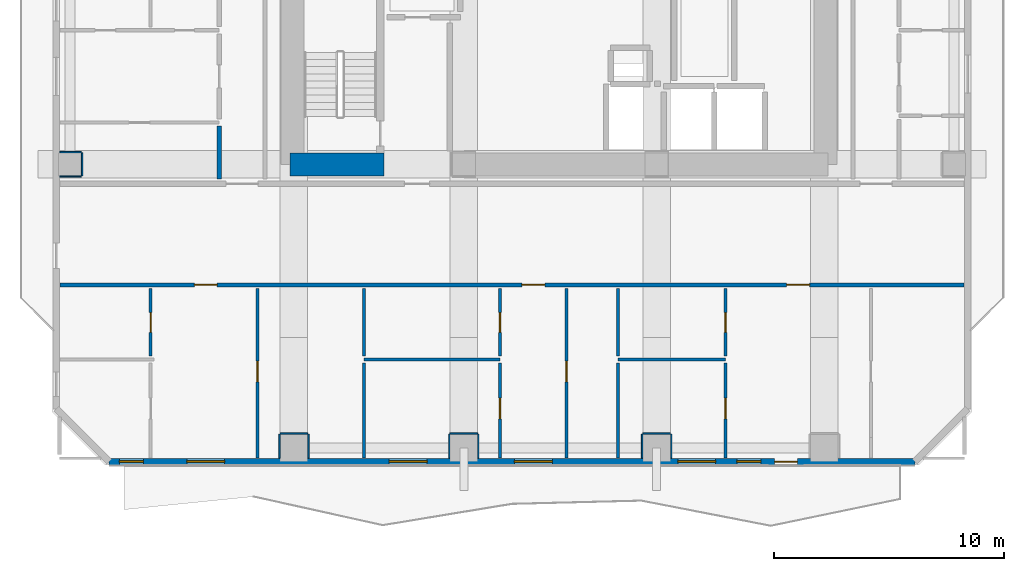
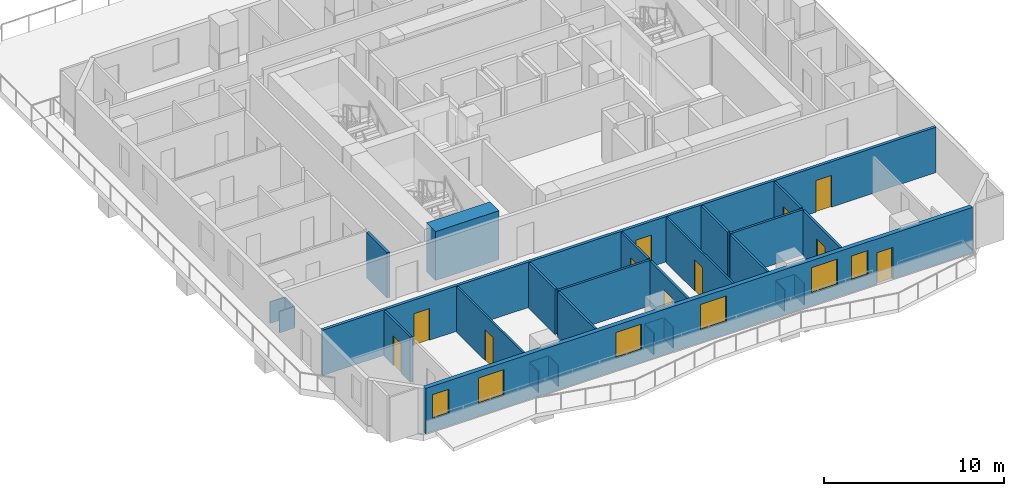
# One storey, part 2 of 11: 29 walls, 11 doors, 6 windows, 17 openings.
"""IFC4 building model written with IfcOpenShell, lengths in metres."""

from ifc_helpers import new_model, si_unit, direction, frame, frame_2d, origin, place, context, subcontext, project, spatial, rectangle, extrude, material, layer, layer_set, type_object, element, fill, save


model = new_model("IFC4")

# Units and contexts
model_context = context("Model", 3, precision=1e-05, world=origin(), true_north=direction((0.0, 1.0)))
body_context = subcontext(model_context, "Body", "Model", "MODEL_VIEW")
ifc_project = project(units=[si_unit("LENGTHUNIT", "METRE"), si_unit("AREAUNIT", "SQUARE_METRE"), si_unit("VOLUMEUNIT", "CUBIC_METRE"), si_unit("PLANEANGLEUNIT", "RADIAN"), si_unit("MASSUNIT", "GRAM", prefix="KILO")], contexts=[model_context])

# Site, building, storey
site_placement = place(None, origin())
site = spatial("IfcSite", under=ifc_project, at=site_placement, CompositionType="ELEMENT")
building_placement = place(site_placement, origin())
building = spatial("IfcBuilding", under=site, at=building_placement, Name="Solanera Arch Residences", CompositionType="ELEMENT")
storey_placement = place(building_placement, frame((0.0, 0.0, 106.080078125)))
storey = spatial("IfcBuildingStorey", under=building, at=storey_placement, Name="L30", CompositionType="ELEMENT", Elevation=106.080078125)

# Walls
ifc_material_1 = material(Name="Fire-Rated Gypsum Stud Partition", Category="gypsum")
ifc_layer_1 = layer(ifc_material_1, 0.06005859375)
ifc_layer_set_1 = layer_set([ifc_layer_1], Name="Fire-Rated Gypsum Stud Partition")
wall_type_1 = type_object("IfcWallType", Name="Column Acoustic Furring Wall 60", PredefinedType="PARTITIONING", material=ifc_layer_set_1)
wall_1_placement = place(storey_placement, frame((12.800048828125, 10.281982421875, 0.0), z_axis=(0.0, 0.0, 1.0), x_axis=(1.0, 0.0, 0.0)))
element("IfcWall", 1, at=wall_1_placement, inside=storey, type_object=wall_type_1, Name="L30 Column Furring 9N", PredefinedType="PARTITIONING", context=body_context, shape_type="SweptSolid", body=[
    extrude(rectangle(XDim=1.199951171875, YDim=0.06005859375, at=frame_2d((0.60009765625, 0.0))), origin(), (0.0, 0.0, 1.0), 1.449951171875),
])
for number, where, z_axis, x_axis, name in (
    (2, (12.76806640625, 9.2099609375, 0.0), (0.0, 0.0, 1.0), (0.0, 1.0, 0.0), "L30 Column Furring 9W"),
    (3, (14.031982421875, 9.2099609375, 0.0), (0.0, 0.0, 1.0), (0.0, 1.0, 0.0), "L30 Column Furring 9E"),
):
    element("IfcWall", number, at=place(storey_placement, frame(where, z_axis=z_axis, x_axis=x_axis)), inside=storey, type_object=wall_type_1, Name=name, PredefinedType="PARTITIONING", context=body_context, shape_type="SweptSolid", body=[
        extrude(rectangle(XDim=1.0400390625, YDim=0.06005859375, at=frame_2d((0.52001953125, 0.0))), origin(), (0.0, 0.0, 1.0), 1.449951171875),
    ])
wall_2_placement = place(storey_placement, frame((20.199951171875, 10.281982421875, 0.0), z_axis=(0.0, 0.0, 1.0), x_axis=(1.0, 0.0, 0.0)))
element("IfcWall", 4, at=wall_2_placement, inside=storey, type_object=wall_type_1, Name="L30 Column Furring 11N", PredefinedType="PARTITIONING", context=body_context, shape_type="SweptSolid", body=[
    extrude(rectangle(XDim=1.199951171875, YDim=0.06005859375, at=frame_2d((0.60009765625, 0.0))), origin(), (0.0, 0.0, 1.0), 1.449951171875),
])
for number, where, z_axis, x_axis, name in (
    (5, (20.16796875, 9.2099609375, 0.0), (0.0, 0.0, 1.0), (0.0, 1.0, 0.0), "L30 Column Furring 11W"),
    (6, (21.431884765625, 9.2099609375, 0.0), (0.0, 0.0, 1.0), (0.0, 1.0, 0.0), "L30 Column Furring 11E"),
):
    element("IfcWall", number, at=place(storey_placement, frame(where, z_axis=z_axis, x_axis=x_axis)), inside=storey, type_object=wall_type_1, Name=name, PredefinedType="PARTITIONING", context=body_context, shape_type="SweptSolid", body=[
        extrude(rectangle(XDim=1.0400390625, YDim=0.06005859375, at=frame_2d((0.52001953125, 0.0))), origin(), (0.0, 0.0, 1.0), 1.449951171875),
    ])
wall_3_placement = place(storey_placement, frame((28.60009765625, 10.281982421875, 0.0), z_axis=(0.0, 0.0, 1.0), x_axis=(1.0, 0.0, 0.0)))
element("IfcWall", 7, at=wall_3_placement, inside=storey, type_object=wall_type_1, Name="L30 Column Furring 13N", PredefinedType="PARTITIONING", context=body_context, shape_type="SweptSolid", body=[
    extrude(rectangle(XDim=1.199951171875, YDim=0.06005859375, at=frame_2d((0.60009765625, 0.0))), origin(), (0.0, 0.0, 1.0), 1.449951171875),
])
for number, where, z_axis, x_axis, name in (
    (8, (28.568115234375, 9.2099609375, 0.0), (0.0, 0.0, 1.0), (0.0, 1.0, 0.0), "L30 Column Furring 13W"),
    (9, (29.83203125, 9.2099609375, 0.0), (0.0, 0.0, 1.0), (0.0, 1.0, 0.0), "L30 Column Furring 13E"),
):
    element("IfcWall", number, at=place(storey_placement, frame(where, z_axis=z_axis, x_axis=x_axis)), inside=storey, type_object=wall_type_1, Name=name, PredefinedType="PARTITIONING", context=body_context, shape_type="SweptSolid", body=[
        extrude(rectangle(XDim=1.0400390625, YDim=0.06005859375, at=frame_2d((0.52001953125, 0.0))), origin(), (0.0, 0.0, 1.0), 1.449951171875),
    ])
for number, where, z_axis, x_axis, name in (
    (10, (3.2099609375, 21.468017578125, 0.0), (0.0, 0.0, 1.0), (1.0, 0.0, 0.0), "L30 Column Furring 17S"),
    (11, (3.2099609375, 22.531982421875, 0.0), (0.0, 0.0, 1.0), (1.0, 0.0, 0.0), "L30 Column Furring 17N"),
):
    element("IfcWall", number, at=place(storey_placement, frame(where, z_axis=z_axis, x_axis=x_axis)), inside=storey, type_object=wall_type_1, Name=name, PredefinedType="PARTITIONING", context=body_context, shape_type="SweptSolid", body=[
        extrude(rectangle(XDim=0.93994140625, YDim=0.06005859375, at=frame_2d((0.469970703125, 0.0))), origin(), (0.0, 0.0, 1.0), 1.449951171875),
    ])
wall_4_placement = place(storey_placement, frame((4.181884765625, 21.5, 0.0), z_axis=(0.0, 0.0, 1.0), x_axis=(0.0, 1.0, 0.0)))
element("IfcWall", 12, at=wall_4_placement, inside=storey, type_object=wall_type_1, Name="L30 Column Furring 17E", PredefinedType="PARTITIONING", context=body_context, shape_type="SweptSolid", body=[
    extrude(rectangle(XDim=1.0, YDim=0.06005859375, at=frame_2d((0.5, 0.0))), origin(), (0.0, 0.0, 1.0), 1.449951171875),
])
ifc_material_2 = material(Name="Concrete C55/67 (f'c = 60 MPa)", Category="concrete")
ifc_layer_2 = layer(ifc_material_2, 1.0)
ifc_layer_set_2 = layer_set([ifc_layer_2], Name="Concrete C55/67 (f'c = 60 MPa)")
wall_type_2 = type_object("IfcWallType", Name="Core Shear Wall CW-1000", PredefinedType="SHEAR", material=ifc_layer_set_2)
wall_5_placement = place(storey_placement, frame((13.239990234375, 22.0, 0.0), z_axis=(0.0, 0.0, 1.0), x_axis=(1.0, 0.0, 0.0)))
element("IfcWall", 13, at=wall_5_placement, inside=storey, type_object=wall_type_2, Name="L30 South-West Core Shear Wall", PredefinedType="SHEAR", context=body_context, shape_type="SweptSolid", body=[
    extrude(rectangle(XDim=4.080078125, YDim=1.0, at=frame_2d((2.0400390625, 0.0))), origin(), (0.0, 0.0, 1.0), 3.31982421875),
])

# Wall, openings, doors
ifc_material_3 = material(Name="Autoclaved Aerated Concrete Blockwork", Category="masonry")
ifc_layer_3 = layer(ifc_material_3, 0.179931640625)
ifc_layer_set_3 = layer_set([ifc_layer_3], Name="Autoclaved Aerated Concrete Blockwork")
wall_type_3 = type_object("IfcWallType", Name="Corridor Fire Partition 180", PredefinedType="PARTITIONING", material=ifc_layer_set_3)
wall_6_placement = place(storey_placement, frame((3.20703125, 16.75, 0.0), z_axis=(0.0, 0.0, 1.0), x_axis=(1.0, 0.0, 0.0)))
wall_6 = element("IfcWall", 14, at=wall_6_placement, inside=storey, type_object=wall_type_3, Name="L30 Interior Partition H7", PredefinedType="PARTITIONING", context=body_context, shape_type="SweptSolid", body=[
    extrude(rectangle(XDim=39.385986328125, YDim=0.179931640625, at=frame_2d((19.69287109375, 0.0))), origin(), (0.0, 0.0, 1.0), 3.079833984375),
])
opening_1_placement = place(wall_6_placement, frame((5.85791015625, 0.0, 0.0)))
opening_1 = element("IfcOpeningElement", 15, at=opening_1_placement, cuts=wall_6, Name="Opening DI-01", PredefinedType="OPENING", context=body_context, shape_type="SweptSolid", body=[
    extrude(rectangle(XDim=1.0, YDim=2.14990234375, at=frame_2d((0.5, 1.074951171875))), frame((0.0, 0.10009765625, 0.0), z_axis=(0.0, -1.0, 0.0), x_axis=(1.0, 0.0, 0.0)), (0.0, 0.0, 1.0), 0.1999),
])
opening_2_placement = place(wall_6_placement, frame((20.12109375, 0.0, 0.0)))
opening_2 = element("IfcOpeningElement", 16, at=opening_2_placement, cuts=wall_6, Name="Opening DI-01", PredefinedType="OPENING", context=body_context, shape_type="SweptSolid", body=[
    extrude(rectangle(XDim=1.0, YDim=2.14990234375, at=frame_2d((0.5, 1.074951171875))), frame((0.0, 0.10009765625, 0.0), z_axis=(0.0, -1.0, 0.0), x_axis=(1.0, 0.0, 0.0)), (0.0, 0.0, 1.0), 0.1999),
])
opening_3_placement = place(wall_6_placement, frame((31.654052734375, 0.0, 0.0)))
opening_3 = element("IfcOpeningElement", 17, at=opening_3_placement, cuts=wall_6, Name="Opening DI-01", PredefinedType="OPENING", context=body_context, shape_type="SweptSolid", body=[
    extrude(rectangle(XDim=1.0, YDim=2.14990234375, at=frame_2d((0.5, 1.074951171875))), frame((0.0, 0.10009765625, 0.0), z_axis=(0.0, -1.0, 0.0), x_axis=(1.0, 0.0, 0.0)), (0.0, 0.0, 1.0), 0.1999),
])
ifc_material_4 = material(Name="Fire-Rated Architectural Hardwood", Category="wood")
door_type_1 = type_object("IfcDoorType", Name="Unit Entrance Fire Door DI-01", OperationType="NOTDEFINED", PredefinedType="DOOR", material=ifc_material_4)
door_1_placement = place(opening_1_placement, origin())
door_1 = element("IfcDoor", 18, at=door_1_placement, inside=storey, type_object=door_type_1, Name="DR-L30-IN-017", OperationType="SINGLE_SWING_RIGHT", OverallHeight=2.14990234375, OverallWidth=1.0, PredefinedType="DOOR", context=body_context, shape_type="SweptSolid", body=[
    extrude(rectangle(XDim=1.0, YDim=2.14990234375, at=frame_2d((0.5, 1.074951171875))), frame((0.0, 0.02490234375, 0.0), z_axis=(0.0, -1.0, 0.0), x_axis=(1.0, 0.0, 0.0)), (0.0, 0.0, 1.0), 0.050048828125),
])
fill(opening_1, door_1)
door_2_placement = place(opening_2_placement, origin())
door_2 = element("IfcDoor", 19, at=door_2_placement, inside=storey, type_object=door_type_1, Name="DR-L30-IN-021", OperationType="SINGLE_SWING_RIGHT", OverallHeight=2.14990234375, OverallWidth=1.0, PredefinedType="DOOR", context=body_context, shape_type="SweptSolid", body=[
    extrude(rectangle(XDim=1.0, YDim=2.14990234375, at=frame_2d((0.5, 1.074951171875))), frame((0.0, 0.02490234375, 0.0), z_axis=(0.0, -1.0, 0.0), x_axis=(1.0, 0.0, 0.0)), (0.0, 0.0, 1.0), 0.050048828125),
])
fill(opening_2, door_2)
door_3_placement = place(opening_3_placement, origin())
door_3 = element("IfcDoor", 20, at=door_3_placement, inside=storey, type_object=door_type_1, Name="DR-L30-IN-025", OperationType="SINGLE_SWING_RIGHT", OverallHeight=2.14990234375, OverallWidth=1.0, PredefinedType="DOOR", context=body_context, shape_type="SweptSolid", body=[
    extrude(rectangle(XDim=1.0, YDim=2.14990234375, at=frame_2d((0.5, 1.074951171875))), frame((0.0, 0.02490234375, 0.0), z_axis=(0.0, -1.0, 0.0), x_axis=(1.0, 0.0, 0.0)), (0.0, 0.0, 1.0), 0.050048828125),
])
fill(opening_3, door_3)

# Wall
wall_7_placement = place(storey_placement, frame((10.14990234375, 21.367919921875, 0.0), z_axis=(0.0, 0.0, 1.0), x_axis=(0.0, 1.0, 0.0)))
element("IfcWall", 21, at=wall_7_placement, inside=storey, type_object=wall_type_3, Name="L30 Interior Partition V9 1", PredefinedType="PARTITIONING", context=body_context, shape_type="SweptSolid", body=[
    extrude(rectangle(XDim=2.298095703125, YDim=0.179931640625, at=frame_2d((1.14892578125, 0.0))), origin(), (0.0, 0.0, 1.0), 3.079833984375),
])

# Wall, openings, door, windows
ifc_material_5 = material(Name="Precast Concrete C35/45", Category="concrete")
ifc_layer_4 = layer(ifc_material_5, 0.280029296875)
ifc_layer_set_4 = layer_set([ifc_layer_4], Name="Precast Concrete C35/45")
wall_type_4 = type_object("IfcWallType", Name="Exterior Wall Precast Masonry-Frame 280", PredefinedType="STANDARD", material=ifc_layer_set_4)
wall_8_placement = place(storey_placement, frame((40.445068359375, 9.054931640625, 0.0), z_axis=(0.0, 0.0, 1.0), x_axis=(-1.0, 0.0, 0.0)))
wall_8 = element("IfcWall", 22, at=wall_8_placement, inside=storey, type_object=wall_type_4, Name="L30 Tower Exterior Precast Masonry-Frame Wall S", PredefinedType="STANDARD", context=body_context, shape_type="SweptSolid", body=[
    extrude(rectangle(XDim=35.090087890625, YDim=0.280029296875, at=frame_2d((17.544921875, 0.0))), origin(), (0.0, 0.0, 1.0), 3.079833984375),
])
opening_4_placement = place(wall_8_placement, frame((5.114013671875, 0.0, 0.0)))
opening_4 = element("IfcOpeningElement", 23, at=opening_4_placement, cuts=wall_8, Name="Opening DB-01", PredefinedType="OPENING", context=body_context, shape_type="SweptSolid", body=[
    extrude(rectangle(XDim=1.0, YDim=2.14990234375, at=frame_2d((0.5, 1.074951171875))), frame((0.0, 0.14990234375, 0.0), z_axis=(0.0, -1.0, 0.0), x_axis=(1.0, 0.0, 0.0)), (0.0, 0.0, 1.0), 0.3),
])
opening_5_placement = place(wall_8_placement, frame((30.055908203125, 0.0, 0.85009765625)))
opening_5 = element("IfcOpeningElement", 24, at=opening_5_placement, cuts=wall_8, Name="Opening W-08", PredefinedType="OPENING", context=body_context, shape_type="SweptSolid", body=[
    extrude(rectangle(XDim=1.64990234375, YDim=1.75, at=frame_2d((0.824951171875, 0.875))), frame((0.0, 0.14990234375, 0.0), z_axis=(0.0, -1.0, 0.0), x_axis=(1.0, 0.0, 0.0)), (0.0, 0.0, 1.0), 0.3),
])
opening_6_placement = place(wall_8_placement, frame((33.593017578125, 0.0, 0.85009765625)))
opening_6 = element("IfcOpeningElement", 25, at=opening_6_placement, cuts=wall_8, Name="Opening W-07", PredefinedType="OPENING", context=body_context, shape_type="SweptSolid", body=[
    extrude(rectangle(XDim=1.050048828125, YDim=1.64990234375, at=frame_2d((0.52490234375, 0.824951171875))), frame((0.0, 0.14990234375, 0.0), z_axis=(0.0, -1.0, 0.0), x_axis=(1.0, 0.0, 0.0)), (0.0, 0.0, 1.0), 0.3),
])
opening_7_placement = place(wall_8_placement, frame((15.7919921875, 0.0, 0.85009765625)))
opening_7 = element("IfcOpeningElement", 26, at=opening_7_placement, cuts=wall_8, Name="Opening W-08", PredefinedType="OPENING", context=body_context, shape_type="SweptSolid", body=[
    extrude(rectangle(XDim=1.64990234375, YDim=1.75, at=frame_2d((0.824951171875, 0.875))), frame((0.0, 0.14990234375, 0.0), z_axis=(0.0, -1.0, 0.0), x_axis=(1.0, 0.0, 0.0)), (0.0, 0.0, 1.0), 0.3),
])
opening_8_placement = place(wall_8_placement, frame((21.242919921875, 0.0, 0.85009765625)))
opening_8 = element("IfcOpeningElement", 27, at=opening_8_placement, cuts=wall_8, Name="Opening W-08", PredefinedType="OPENING", context=body_context, shape_type="SweptSolid", body=[
    extrude(rectangle(XDim=1.64990234375, YDim=1.75, at=frame_2d((0.824951171875, 0.875))), frame((0.0, 0.14990234375, 0.0), z_axis=(0.0, -1.0, 0.0), x_axis=(1.0, 0.0, 0.0)), (0.0, 0.0, 1.0), 0.3),
])
opening_9_placement = place(wall_8_placement, frame((6.70703125, 0.0, 0.85009765625)))
opening_9 = element("IfcOpeningElement", 28, at=opening_9_placement, cuts=wall_8, Name="Opening W-07", PredefinedType="OPENING", context=body_context, shape_type="SweptSolid", body=[
    extrude(rectangle(XDim=1.050048828125, YDim=1.64990234375, at=frame_2d((0.52490234375, 0.824951171875))), frame((0.0, 0.14990234375, 0.0), z_axis=(0.0, -1.0, 0.0), x_axis=(1.0, 0.0, 0.0)), (0.0, 0.0, 1.0), 0.3),
])
opening_10_placement = place(wall_8_placement, frame((8.673095703125, 0.0, 0.85009765625)))
opening_10 = element("IfcOpeningElement", 29, at=opening_10_placement, cuts=wall_8, Name="Opening W-08", PredefinedType="OPENING", context=body_context, shape_type="SweptSolid", body=[
    extrude(rectangle(XDim=1.64990234375, YDim=1.75, at=frame_2d((0.824951171875, 0.875))), frame((0.0, 0.14990234375, 0.0), z_axis=(0.0, -1.0, 0.0), x_axis=(1.0, 0.0, 0.0)), (0.0, 0.0, 1.0), 0.3),
])
ifc_material_6 = material(Name="Anodised Aluminium Alloy 6063-T6", Category="aluminium")
door_type_2 = type_object("IfcDoorType", Name="Glazed Balcony Swing Door DB-01", OperationType="NOTDEFINED", PredefinedType="DOOR", material=ifc_material_6)
door_4_placement = place(opening_4_placement, origin())
door_4 = element("IfcDoor", 30, at=door_4_placement, inside=storey, type_object=door_type_2, Name="DR-L30-OUT-04", OperationType="SINGLE_SWING_LEFT", OverallHeight=2.14990234375, OverallWidth=1.0, PredefinedType="DOOR", context=body_context, shape_type="SweptSolid", body=[
    extrude(rectangle(XDim=1.0, YDim=2.14990234375, at=frame_2d((0.5, 1.074951171875))), frame((0.0, 0.02490234375, 0.0), z_axis=(0.0, -1.0, 0.0), x_axis=(1.0, 0.0, 0.0)), (0.0, 0.0, 1.0), 0.050048828125),
])
fill(opening_4, door_4)
ifc_material_7 = material(Name="Double Glazed Low-E Laminated Glass", Category="glass")
window_type_1 = type_object("IfcWindowType", Name="Punched Window W-07", PartitioningType="SINGLE_PANEL", PredefinedType="WINDOW", material=ifc_material_7)
window_1_placement = place(opening_6_placement, origin())
window_1 = element("IfcWindow", 31, at=window_1_placement, inside=storey, type_object=window_type_1, Name="L30 3001-BR1 Punched Window", OverallHeight=1.64990234375, OverallWidth=1.050048828125, PartitioningType="SINGLE_PANEL", PredefinedType="WINDOW", context=body_context, shape_type="SweptSolid", body=[
    extrude(rectangle(XDim=1.050048828125, YDim=1.64990234375, at=frame_2d((0.52490234375, 0.824951171875))), frame((0.0, 0.030029296875, 0.0), z_axis=(0.0, -1.0, 0.0), x_axis=(1.0, 0.0, 0.0)), (0.0, 0.0, 1.0), 0.06005859375),
])
fill(opening_6, window_1)
window_2_placement = place(opening_9_placement, origin())
window_2 = element("IfcWindow", 32, at=window_2_placement, inside=storey, type_object=window_type_1, Name="L30 3003-LIV Punched Window", OverallHeight=1.64990234375, OverallWidth=1.050048828125, PartitioningType="SINGLE_PANEL", PredefinedType="WINDOW", context=body_context, shape_type="SweptSolid", body=[
    extrude(rectangle(XDim=1.050048828125, YDim=1.64990234375, at=frame_2d((0.52490234375, 0.824951171875))), frame((0.0, 0.030029296875, 0.0), z_axis=(0.0, -1.0, 0.0), x_axis=(1.0, 0.0, 0.0)), (0.0, 0.0, 1.0), 0.06005859375),
])
fill(opening_9, window_2)
ifc_material_8 = material(Name="Double Glazed Low-E Laminated Glass", Category="glass")
window_type_2 = type_object("IfcWindowType", Name="Punched Window W-08", PartitioningType="DOUBLE_PANEL_HORIZONTAL", PredefinedType="WINDOW", material=ifc_material_8)
window_3_placement = place(opening_5_placement, origin())
window_3 = element("IfcWindow", 33, at=window_3_placement, inside=storey, type_object=window_type_2, Name="L30 3001-LIV Punched Window", OverallHeight=1.75, OverallWidth=1.64990234375, PartitioningType="SINGLE_PANEL", PredefinedType="WINDOW", context=body_context, shape_type="SweptSolid", body=[
    extrude(rectangle(XDim=1.64990234375, YDim=1.75, at=frame_2d((0.824951171875, 0.875))), frame((0.0, 0.030029296875, 0.0), z_axis=(0.0, -1.0, 0.0), x_axis=(1.0, 0.0, 0.0)), (0.0, 0.0, 1.0), 0.06005859375),
])
fill(opening_5, window_3)
window_4_placement = place(opening_7_placement, origin())
window_4 = element("IfcWindow", 34, at=window_4_placement, inside=storey, type_object=window_type_2, Name="L30 3002-LIV Punched Window", OverallHeight=1.75, OverallWidth=1.64990234375, PartitioningType="SINGLE_PANEL", PredefinedType="WINDOW", context=body_context, shape_type="SweptSolid", body=[
    extrude(rectangle(XDim=1.64990234375, YDim=1.75, at=frame_2d((0.824951171875, 0.875))), frame((0.0, 0.030029296875, 0.0), z_axis=(0.0, -1.0, 0.0), x_axis=(1.0, 0.0, 0.0)), (0.0, 0.0, 1.0), 0.06005859375),
])
fill(opening_7, window_4)
window_5_placement = place(opening_8_placement, origin())
window_5 = element("IfcWindow", 35, at=window_5_placement, inside=storey, type_object=window_type_2, Name="L30 3002-BR1 Punched Window", OverallHeight=1.75, OverallWidth=1.64990234375, PartitioningType="SINGLE_PANEL", PredefinedType="WINDOW", context=body_context, shape_type="SweptSolid", body=[
    extrude(rectangle(XDim=1.64990234375, YDim=1.75, at=frame_2d((0.824951171875, 0.875))), frame((0.0, 0.030029296875, 0.0), z_axis=(0.0, -1.0, 0.0), x_axis=(1.0, 0.0, 0.0)), (0.0, 0.0, 1.0), 0.06005859375),
])
fill(opening_8, window_5)
window_6_placement = place(opening_10_placement, origin())
window_6 = element("IfcWindow", 36, at=window_6_placement, inside=storey, type_object=window_type_2, Name="L30 3003-BR1 Punched Window", OverallHeight=1.75, OverallWidth=1.64990234375, PartitioningType="SINGLE_PANEL", PredefinedType="WINDOW", context=body_context, shape_type="SweptSolid", body=[
    extrude(rectangle(XDim=1.64990234375, YDim=1.75, at=frame_2d((0.824951171875, 0.875))), frame((0.0, 0.030029296875, 0.0), z_axis=(0.0, -1.0, 0.0), x_axis=(1.0, 0.0, 0.0)), (0.0, 0.0, 1.0), 0.06005859375),
])
fill(opening_10, window_6)

# Wall, opening, door
ifc_material_9 = material(Name="Fire-Rated Gypsum Stud Partition", Category="gypsum")
ifc_layer_5 = layer(ifc_material_9, 0.1201171875)
ifc_layer_set_5 = layer_set([ifc_layer_5], Name="Fire-Rated Gypsum Stud Partition")
wall_type_5 = type_object("IfcWallType", Name="Unit Drywall Partition 120", PredefinedType="PARTITIONING", material=ifc_layer_set_5)
wall_9_placement = place(storey_placement, frame((11.820068359375, 9.20703125, 0.0), z_axis=(0.0, 0.0, 1.0), x_axis=(0.0, 1.0, 0.0)))
wall_9 = element("IfcWall", 37, at=wall_9_placement, inside=storey, type_object=wall_type_5, Name="L30 Interior Partition V25", PredefinedType="PARTITIONING", context=body_context, shape_type="SweptSolid", body=[
    extrude(rectangle(XDim=7.385009765625, YDim=0.1201171875, at=frame_2d((3.6923828125, 0.0))), origin(), (0.0, 0.0, 1.0), 3.079833984375),
])
opening_11_placement = place(wall_9_placement, frame((3.318115234375, 0.0, 0.0)))
opening_11 = element("IfcOpeningElement", 38, at=opening_11_placement, cuts=wall_9, Name="Opening DI-02", PredefinedType="OPENING", context=body_context, shape_type="SweptSolid", body=[
    extrude(rectangle(XDim=0.89990234375, YDim=2.10009765625, at=frame_2d((0.449951171875, 1.050048828125))), frame((0.0, 0.070068359375, 0.0), z_axis=(0.0, -1.0, 0.0), x_axis=(1.0, 0.0, 0.0)), (0.0, 0.0, 1.0), 0.1401),
])
ifc_material_10 = material(Name="Fire-Rated Architectural Hardwood", Category="wood")
door_type_3 = type_object("IfcDoorType", Name="Suite Room Swing Door DI-02", OperationType="NOTDEFINED", PredefinedType="DOOR", material=ifc_material_10)
door_5_placement = place(opening_11_placement, origin())
door_5 = element("IfcDoor", 39, at=door_5_placement, inside=storey, type_object=door_type_3, Name="DR-L30-IN-020", OperationType="SINGLE_SWING_LEFT", OverallHeight=2.10009765625, OverallWidth=0.89990234375, PredefinedType="DOOR", context=body_context, shape_type="SweptSolid", body=[
    extrude(rectangle(XDim=0.89990234375, YDim=2.10009765625, at=frame_2d((0.449951171875, 1.050048828125))), frame((0.0, 0.02490234375, 0.0), z_axis=(0.0, -1.0, 0.0), x_axis=(1.0, 0.0, 0.0)), (0.0, 0.0, 1.0), 0.050048828125),
])
fill(opening_11, door_5)

wall_10_placement = place(storey_placement, frame((25.27587890625, 9.20703125, 0.0), z_axis=(0.0, 0.0, 1.0), x_axis=(0.0, 1.0, 0.0)))
wall_10 = element("IfcWall", 40, at=wall_10_placement, inside=storey, type_object=wall_type_5, Name="L30 Interior Partition V27", PredefinedType="PARTITIONING", context=body_context, shape_type="SweptSolid", body=[
    extrude(rectangle(XDim=7.385009765625, YDim=0.1201171875, at=frame_2d((3.6923828125, 0.0))), origin(), (0.0, 0.0, 1.0), 3.079833984375),
])
opening_12_placement = place(wall_10_placement, frame((3.318115234375, 0.0, 0.0)))
opening_12 = element("IfcOpeningElement", 41, at=opening_12_placement, cuts=wall_10, Name="Opening DI-02", PredefinedType="OPENING", context=body_context, shape_type="SweptSolid", body=[
    extrude(rectangle(XDim=0.89990234375, YDim=2.10009765625, at=frame_2d((0.449951171875, 1.050048828125))), frame((0.0, 0.070068359375, 0.0), z_axis=(0.0, -1.0, 0.0), x_axis=(1.0, 0.0, 0.0)), (0.0, 0.0, 1.0), 0.1401),
])
door_6_placement = place(opening_12_placement, origin())
door_6 = element("IfcDoor", 42, at=door_6_placement, inside=storey, type_object=door_type_3, Name="DR-L30-IN-024", OperationType="SINGLE_SWING_LEFT", OverallHeight=2.10009765625, OverallWidth=0.89990234375, PredefinedType="DOOR", context=body_context, shape_type="SweptSolid", body=[
    extrude(rectangle(XDim=0.89990234375, YDim=2.10009765625, at=frame_2d((0.449951171875, 1.050048828125))), frame((0.0, 0.02490234375, 0.0), z_axis=(0.0, -1.0, 0.0), x_axis=(1.0, 0.0, 0.0)), (0.0, 0.0, 1.0), 0.050048828125),
])
fill(opening_12, door_6)

# Walls
ifc_material_11 = material(Name="Autoclaved Aerated Concrete Blockwork", Category="masonry")
ifc_layer_6 = layer(ifc_material_11, 0.139892578125)
ifc_layer_set_6 = layer_set([ifc_layer_6], Name="Autoclaved Aerated Concrete Blockwork")
wall_type_6 = type_object("IfcWallType", Name="Wet-Room Partition 140", PredefinedType="PARTITIONING", material=ifc_layer_set_6)
wall_11_placement = place(storey_placement, frame((16.4541015625, 13.50390625, 0.0), z_axis=(0.0, 0.0, 1.0), x_axis=(1.0, 0.0, 0.0)))
element("IfcWall", 43, at=wall_11_placement, inside=storey, type_object=wall_type_6, Name="L30 Interior Partition H14", PredefinedType="PARTITIONING", context=body_context, shape_type="SweptSolid", body=[
    extrude(rectangle(XDim=5.92578125, YDim=0.139892578125, at=frame_2d((2.962890625, 0.0))), origin(), (0.0, 0.0, 1.0), 3.079833984375),
])
wall_12_placement = place(storey_placement, frame((27.52001953125, 13.50390625, 0.0), z_axis=(0.0, 0.0, 1.0), x_axis=(1.0, 0.0, 0.0)))
element("IfcWall", 44, at=wall_12_placement, inside=storey, type_object=wall_type_6, Name="L30 Interior Partition H15", PredefinedType="PARTITIONING", context=body_context, shape_type="SweptSolid", body=[
    extrude(rectangle(XDim=4.675048828125, YDim=0.139892578125, at=frame_2d((2.33740234375, 0.0))), origin(), (0.0, 0.0, 1.0), 3.079833984375),
])

# Wall, opening, door
wall_13_placement = place(storey_placement, frame((7.162109375, 13.652099609375, 0.0), z_axis=(0.0, 0.0, 1.0), x_axis=(0.0, 1.0, 0.0)))
wall_13 = element("IfcWall", 45, at=wall_13_placement, inside=storey, type_object=wall_type_6, Name="L30 Interior Partition V16 2", PredefinedType="PARTITIONING", context=body_context, shape_type="SweptSolid", body=[
    extrude(rectangle(XDim=2.929931640625, YDim=0.139892578125, at=frame_2d((1.46484375, 0.0))), origin(), (0.0, 0.0, 1.0), 3.079833984375),
])
opening_13_placement = place(wall_13_placement, frame((1.031982421875, 0.0, 0.0)))
opening_13 = element("IfcOpeningElement", 46, at=opening_13_placement, cuts=wall_13, Name="Opening DI-05", PredefinedType="OPENING", context=body_context, shape_type="SweptSolid", body=[
    extrude(rectangle(XDim=0.860107421875, YDim=2.02001953125, at=frame_2d((0.43017578125, 1.010009765625))), frame((0.0, 0.079833984375, 0.0), z_axis=(0.0, -1.0, 0.0), x_axis=(1.0, 0.0, 0.0)), (0.0, 0.0, 1.0), 0.1599),
])
ifc_material_12 = material(Name="Fire-Rated Architectural Hardwood", Category="wood")
door_type_4 = type_object("IfcDoorType", Name="Bathroom Swing Door DI-05", OperationType="NOTDEFINED", PredefinedType="DOOR", material=ifc_material_12)
door_7_placement = place(opening_13_placement, origin())
door_7 = element("IfcDoor", 47, at=door_7_placement, inside=storey, type_object=door_type_4, Name="DR-L30-IN-018", OperationType="SINGLE_SWING_LEFT", OverallHeight=2.02001953125, OverallWidth=0.860107421875, PredefinedType="DOOR", context=body_context, shape_type="SweptSolid", body=[
    extrude(rectangle(XDim=0.860107421875, YDim=2.02001953125, at=frame_2d((0.43017578125, 1.010009765625))), frame((0.0, 0.02490234375, 0.0), z_axis=(0.0, -1.0, 0.0), x_axis=(1.0, 0.0, 0.0)), (0.0, 0.0, 1.0), 0.050048828125),
])
fill(opening_13, door_7)

# Walls
wall_14_placement = place(storey_placement, frame((16.4541015625, 9.20703125, 0.0), z_axis=(0.0, 0.0, 1.0), x_axis=(0.0, 1.0, 0.0)))
element("IfcWall", 48, at=wall_14_placement, inside=storey, type_object=wall_type_6, Name="L30 Interior Partition V19 1", PredefinedType="PARTITIONING", context=body_context, shape_type="SweptSolid", body=[
    extrude(rectangle(XDim=4.14892578125, YDim=0.139892578125, at=frame_2d((2.074462890625, 0.0))), origin(), (0.0, 0.0, 1.0), 3.079833984375),
])
wall_15_placement = place(storey_placement, frame((16.4541015625, 13.652099609375, 0.0), z_axis=(0.0, 0.0, 1.0), x_axis=(0.0, 1.0, 0.0)))
element("IfcWall", 49, at=wall_15_placement, inside=storey, type_object=wall_type_6, Name="L30 Interior Partition V19 2", PredefinedType="PARTITIONING", context=body_context, shape_type="SweptSolid", body=[
    extrude(rectangle(XDim=2.929931640625, YDim=0.139892578125, at=frame_2d((1.46484375, 0.0))), origin(), (0.0, 0.0, 1.0), 3.079833984375),
])

# Wall, opening, door
wall_16_placement = place(storey_placement, frame((22.3798828125, 9.20703125, 0.0), z_axis=(0.0, 0.0, 1.0), x_axis=(0.0, 1.0, 0.0)))
wall_16 = element("IfcWall", 50, at=wall_16_placement, inside=storey, type_object=wall_type_6, Name="L30 Interior Partition V20 1", PredefinedType="PARTITIONING", context=body_context, shape_type="SweptSolid", body=[
    extrude(rectangle(XDim=4.14892578125, YDim=0.139892578125, at=frame_2d((2.074462890625, 0.0))), origin(), (0.0, 0.0, 1.0), 3.079833984375),
])
opening_14_placement = place(wall_16_placement, frame((1.7080078125, 0.0, 0.0)))
opening_14 = element("IfcOpeningElement", 51, at=opening_14_placement, cuts=wall_16, Name="Opening DI-03", PredefinedType="OPENING", context=body_context, shape_type="SweptSolid", body=[
    extrude(rectangle(XDim=0.89990234375, YDim=2.10009765625, at=frame_2d((0.449951171875, 1.050048828125))), frame((0.0, 0.079833984375, 0.0), z_axis=(0.0, -1.0, 0.0), x_axis=(1.0, 0.0, 0.0)), (0.0, 0.0, 1.0), 0.1599),
])
ifc_material_13 = material(Name="Fire-Rated Architectural Hardwood", Category="wood")
door_type_5 = type_object("IfcDoorType", Name="Bedroom Swing Door DI-03", OperationType="NOTDEFINED", PredefinedType="DOOR", material=ifc_material_13)
door_8_placement = place(opening_14_placement, origin())
door_8 = element("IfcDoor", 52, at=door_8_placement, inside=storey, type_object=door_type_5, Name="DR-L30-IN-023", OperationType="SINGLE_SWING_RIGHT", OverallHeight=2.10009765625, OverallWidth=0.89990234375, PredefinedType="DOOR", context=body_context, shape_type="SweptSolid", body=[
    extrude(rectangle(XDim=0.89990234375, YDim=2.10009765625, at=frame_2d((0.449951171875, 1.050048828125))), frame((0.0, 0.02490234375, 0.0), z_axis=(0.0, -1.0, 0.0), x_axis=(1.0, 0.0, 0.0)), (0.0, 0.0, 1.0), 0.050048828125),
])
fill(opening_14, door_8)

wall_17_placement = place(storey_placement, frame((22.3798828125, 13.652099609375, 0.0), z_axis=(0.0, 0.0, 1.0), x_axis=(0.0, 1.0, 0.0)))
wall_17 = element("IfcWall", 53, at=wall_17_placement, inside=storey, type_object=wall_type_6, Name="L30 Interior Partition V20 2", PredefinedType="PARTITIONING", context=body_context, shape_type="SweptSolid", body=[
    extrude(rectangle(XDim=2.929931640625, YDim=0.139892578125, at=frame_2d((1.46484375, 0.0))), origin(), (0.0, 0.0, 1.0), 3.079833984375),
])
opening_15_placement = place(wall_17_placement, frame((1.031982421875, 0.0, 0.0)))
opening_15 = element("IfcOpeningElement", 54, at=opening_15_placement, cuts=wall_17, Name="Opening DI-05", PredefinedType="OPENING", context=body_context, shape_type="SweptSolid", body=[
    extrude(rectangle(XDim=0.860107421875, YDim=2.02001953125, at=frame_2d((0.43017578125, 1.010009765625))), frame((0.0, 0.079833984375, 0.0), z_axis=(0.0, -1.0, 0.0), x_axis=(1.0, 0.0, 0.0)), (0.0, 0.0, 1.0), 0.1599),
])
door_9_placement = place(opening_15_placement, origin())
door_9 = element("IfcDoor", 55, at=door_9_placement, inside=storey, type_object=door_type_4, Name="DR-L30-IN-022", OperationType="SINGLE_SWING_LEFT", OverallHeight=2.02001953125, OverallWidth=0.860107421875, PredefinedType="DOOR", context=body_context, shape_type="SweptSolid", body=[
    extrude(rectangle(XDim=0.860107421875, YDim=2.02001953125, at=frame_2d((0.43017578125, 1.010009765625))), frame((0.0, 0.02490234375, 0.0), z_axis=(0.0, -1.0, 0.0), x_axis=(1.0, 0.0, 0.0)), (0.0, 0.0, 1.0), 0.050048828125),
])
fill(opening_15, door_9)

# Walls
wall_18_placement = place(storey_placement, frame((27.52001953125, 9.20703125, 0.0), z_axis=(0.0, 0.0, 1.0), x_axis=(0.0, 1.0, 0.0)))
element("IfcWall", 56, at=wall_18_placement, inside=storey, type_object=wall_type_6, Name="L30 Interior Partition V22 1", PredefinedType="PARTITIONING", context=body_context, shape_type="SweptSolid", body=[
    extrude(rectangle(XDim=4.14892578125, YDim=0.139892578125, at=frame_2d((2.074462890625, 0.0))), origin(), (0.0, 0.0, 1.0), 3.079833984375),
])
wall_19_placement = place(storey_placement, frame((27.52001953125, 13.652099609375, 0.0), z_axis=(0.0, 0.0, 1.0), x_axis=(0.0, 1.0, 0.0)))
element("IfcWall", 57, at=wall_19_placement, inside=storey, type_object=wall_type_6, Name="L30 Interior Partition V22 2", PredefinedType="PARTITIONING", context=body_context, shape_type="SweptSolid", body=[
    extrude(rectangle(XDim=2.929931640625, YDim=0.139892578125, at=frame_2d((1.46484375, 0.0))), origin(), (0.0, 0.0, 1.0), 3.079833984375),
])

# Wall, opening, door
wall_20_placement = place(storey_placement, frame((32.195068359375, 9.20703125, 0.0), z_axis=(0.0, 0.0, 1.0), x_axis=(0.0, 1.0, 0.0)))
wall_20 = element("IfcWall", 58, at=wall_20_placement, inside=storey, type_object=wall_type_6, Name="L30 Interior Partition V24 1", PredefinedType="PARTITIONING", context=body_context, shape_type="SweptSolid", body=[
    extrude(rectangle(XDim=4.14892578125, YDim=0.139892578125, at=frame_2d((2.074462890625, 0.0))), origin(), (0.0, 0.0, 1.0), 3.079833984375),
])
opening_16_placement = place(wall_20_placement, frame((1.7080078125, 0.0, 0.0)))
opening_16 = element("IfcOpeningElement", 59, at=opening_16_placement, cuts=wall_20, Name="Opening DI-03", PredefinedType="OPENING", context=body_context, shape_type="SweptSolid", body=[
    extrude(rectangle(XDim=0.89990234375, YDim=2.10009765625, at=frame_2d((0.449951171875, 1.050048828125))), frame((0.0, 0.079833984375, 0.0), z_axis=(0.0, -1.0, 0.0), x_axis=(1.0, 0.0, 0.0)), (0.0, 0.0, 1.0), 0.1599),
])
door_10_placement = place(opening_16_placement, origin())
door_10 = element("IfcDoor", 60, at=door_10_placement, inside=storey, type_object=door_type_5, Name="DR-L30-IN-027", OperationType="SINGLE_SWING_RIGHT", OverallHeight=2.10009765625, OverallWidth=0.89990234375, PredefinedType="DOOR", context=body_context, shape_type="SweptSolid", body=[
    extrude(rectangle(XDim=0.89990234375, YDim=2.10009765625, at=frame_2d((0.449951171875, 1.050048828125))), frame((0.0, 0.02490234375, 0.0), z_axis=(0.0, -1.0, 0.0), x_axis=(1.0, 0.0, 0.0)), (0.0, 0.0, 1.0), 0.050048828125),
])
fill(opening_16, door_10)

wall_21_placement = place(storey_placement, frame((32.195068359375, 13.652099609375, 0.0), z_axis=(0.0, 0.0, 1.0), x_axis=(0.0, 1.0, 0.0)))
wall_21 = element("IfcWall", 61, at=wall_21_placement, inside=storey, type_object=wall_type_6, Name="L30 Interior Partition V24 2", PredefinedType="PARTITIONING", context=body_context, shape_type="SweptSolid", body=[
    extrude(rectangle(XDim=2.929931640625, YDim=0.139892578125, at=frame_2d((1.46484375, 0.0))), origin(), (0.0, 0.0, 1.0), 3.079833984375),
])
opening_17_placement = place(wall_21_placement, frame((1.031982421875, 0.0, 0.0)))
opening_17 = element("IfcOpeningElement", 62, at=opening_17_placement, cuts=wall_21, Name="Opening DI-05", PredefinedType="OPENING", context=body_context, shape_type="SweptSolid", body=[
    extrude(rectangle(XDim=0.860107421875, YDim=2.02001953125, at=frame_2d((0.43017578125, 1.010009765625))), frame((0.0, 0.079833984375, 0.0), z_axis=(0.0, -1.0, 0.0), x_axis=(1.0, 0.0, 0.0)), (0.0, 0.0, 1.0), 0.1599),
])
door_11_placement = place(opening_17_placement, origin())
door_11 = element("IfcDoor", 63, at=door_11_placement, inside=storey, type_object=door_type_4, Name="DR-L30-IN-026", OperationType="SINGLE_SWING_LEFT", OverallHeight=2.02001953125, OverallWidth=0.860107421875, PredefinedType="DOOR", context=body_context, shape_type="SweptSolid", body=[
    extrude(rectangle(XDim=0.860107421875, YDim=2.02001953125, at=frame_2d((0.43017578125, 1.010009765625))), frame((0.0, 0.02490234375, 0.0), z_axis=(0.0, -1.0, 0.0), x_axis=(1.0, 0.0, 0.0)), (0.0, 0.0, 1.0), 0.050048828125),
])
fill(opening_17, door_11)

save(model, "model.ifc")
